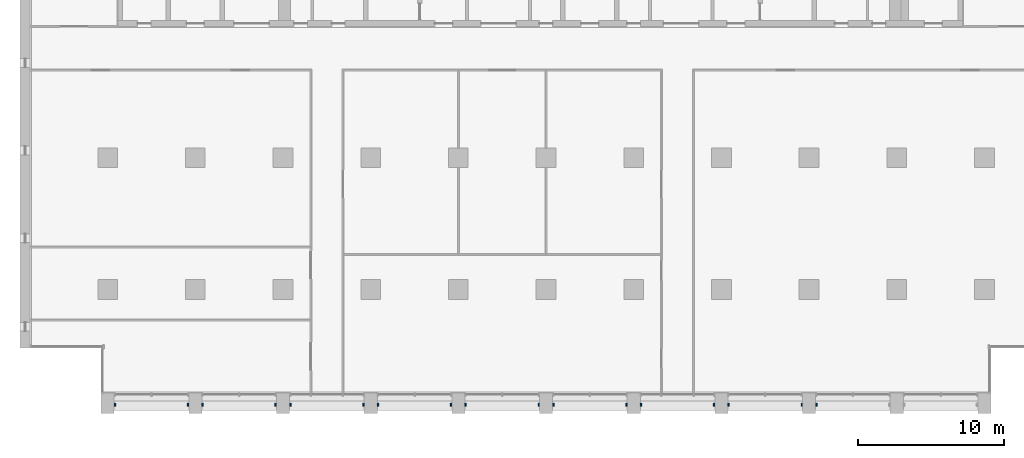
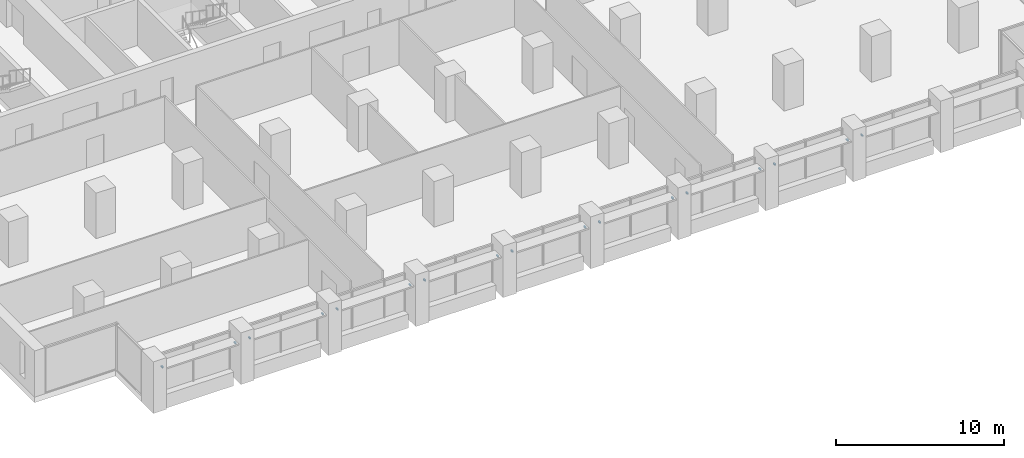
# One storey, part 13 of 15: 17 discrete accessories.
"""IFC4 building model written with IfcOpenShell, lengths in metres."""

import ifcopenshell
import ifcopenshell.guid

model = None  # the IFC model being written
_history = None  # IfcOwnerHistory: only IFC2X3 demands one
_inside = {}  # id of a spatial element -> (the spatial element, [elements in it])
_under = {}  # id of a project, library or spatial element -> (it, [spatial elements below it])
_declared = {}  # id of a project -> (the project, [libraries it declares])
_typed = {}  # id of a type object -> (the type object, [elements of that type])
_made_of = {}  # id of a material, layer set ... -> (it, [elements and type objects made of it])


def new_model(schema):
    """Start an empty IFC model of exactly this schema.

    Asked for "IFC4X3", IfcOpenShell would pick the latest addendum, in which some entities
    have other attributes; the version numbers below select the first issue.
    IFC2X3 requires an IfcOwnerHistory on every rooted entity: one is made here for all.
    """
    global model, _history
    if schema == "IFC4X3":
        model = ifcopenshell.file(schema_version=(4, 3, 0, 0))
    else:
        model = ifcopenshell.file(schema=schema)
    _inside.clear()
    _under.clear()
    _declared.clear()
    _typed.clear()
    _made_of.clear()
    _history = None
    if model.schema == "IFC2X3":
        org = make("IfcOrganization", Name="unknown")
        user = make(
            "IfcPersonAndOrganization",
            ThePerson=make("IfcPerson", FamilyName="unknown"),
            TheOrganization=org,
        )
        app = make(
            "IfcApplication",
            ApplicationDeveloper=org,
            Version="unknown",
            ApplicationFullName="unknown",
            ApplicationIdentifier="unknown",
        )
        _history = make(
            "IfcOwnerHistory",
            OwningUser=user,
            OwningApplication=app,
            ChangeAction="ADDED",
            CreationDate=0,
        )
    return model


def make(cls, **values):
    """One entity of the class cls with the attributes given. An attribute that is None is left unset."""
    return model.create_entity(
        cls, **{name: value for name, value in values.items() if value is not None}
    )


def rooted(cls, **values):
    """An entity with a GlobalId (a new one), such as an element, a storey or a relation."""
    return make(cls, GlobalId=ifcopenshell.guid.new(), OwnerHistory=_history, **values)


def si_unit(unit_type, name, prefix=None):
    """IfcSIUnit, for example si_unit("LENGTHUNIT", "METRE", prefix="MILLI")."""
    return make("IfcSIUnit", UnitType=unit_type, Prefix=prefix, Name=name)


def assignment(units):
    """IfcUnitAssignment: the units of a project."""
    return None if units is None else make("IfcUnitAssignment", Units=units)


def point(xyz):
    """IfcCartesianPoint."""
    return None if xyz is None else make("IfcCartesianPoint", Coordinates=xyz)


def direction(xyz):
    """IfcDirection."""
    return None if xyz is None else make("IfcDirection", DirectionRatios=xyz)


def frame(location, z_axis=None, x_axis=None):
    """IfcAxis2Placement3D, a coordinate frame: its origin and axes. An axis left out is left unset."""
    return make(
        "IfcAxis2Placement3D",
        Location=point(location),
        Axis=direction(z_axis),
        RefDirection=direction(x_axis),
    )


def frame_2d(location, x_axis=None):
    """IfcAxis2Placement2D, a coordinate frame in the plane: its origin and x axis."""
    return make(
        "IfcAxis2Placement2D", Location=point(location), RefDirection=direction(x_axis)
    )


def origin():
    """The frame at (0, 0, 0) with its axes left unset."""
    return frame((0.0, 0.0, 0.0))


def origin_2d():
    """The frame at (0, 0) in the plane with its x axis left unset."""
    return frame_2d((0.0, 0.0))


def place(relative_to, where):
    """IfcLocalPlacement: puts the frame where relative to a parent placement (None: the world)."""
    return make(
        "IfcLocalPlacement", PlacementRelTo=relative_to, RelativePlacement=where
    )


def context(
    kind, dimensions, precision=None, world=None, true_north=None, identifier=None
):
    """IfcGeometricRepresentationContext, for example the 3D "Model" context."""
    return make(
        "IfcGeometricRepresentationContext",
        ContextIdentifier=identifier,
        ContextType=kind,
        CoordinateSpaceDimension=dimensions,
        Precision=precision,
        WorldCoordinateSystem=world,
        TrueNorth=true_north,
    )


def subcontext(parent, identifier, kind, view, scale=None):
    """IfcGeometricRepresentationSubContext, for example "Body" below "Model"."""
    return make(
        "IfcGeometricRepresentationSubContext",
        ContextIdentifier=identifier,
        ContextType=kind,
        ParentContext=parent,
        TargetScale=scale,
        TargetView=view,
    )


def project(units=None, contexts=None):
    """IfcProject with its units and contexts."""
    return rooted(
        "IfcProject",
        Name="project",
        RepresentationContexts=contexts,
        UnitsInContext=assignment(units),
    )


def spatial(cls, under=None, at=None, **own):
    """A site, building, storey or space (cls), placed at a placement, below another one or the project."""
    s = rooted(cls, ObjectPlacement=at, **own)
    if under is not None:
        _under.setdefault(under.id(), (under, []))[1].append(s)
    return s


def profile(cls, at=None, kind="AREA", **sizes):
    """A parametric profile (cls). Its sizes go by their IFC names, for example OverallWidth=200.0."""
    return make(cls, ProfileType=kind, Position=at, **sizes)


def rectangle(**sizes):
    """IfcRectangleProfileDef."""
    return profile("IfcRectangleProfileDef", **sizes)


def extrude(swept, where, along, depth):
    """IfcExtrudedAreaSolid: the profile swept, set in the frame where, extruded along a direction by depth."""
    return make(
        "IfcExtrudedAreaSolid",
        SweptArea=swept,
        Position=where,
        ExtrudedDirection=direction(along),
        Depth=depth,
    )


def shape(context_of_items, identifier, shape_type, items):
    """IfcShapeRepresentation: the items that make up one representation, for example the "Body"."""
    return make(
        "IfcShapeRepresentation",
        ContextOfItems=context_of_items,
        RepresentationIdentifier=identifier,
        RepresentationType=shape_type,
        Items=items,
    )


def made_of(thing, what):
    """Note that an element or type object is made of a material, layer set ...; save() writes the relation."""
    if what is not None:
        _made_of.setdefault(what.id(), (what, []))[1].append(thing)
    return thing


def element(
    cls,
    number,
    at=None,
    inside=None,
    cuts=None,
    type_object=None,
    material=None,
    context=None,
    identifier="Body",
    shape_type=None,
    held_by="IfcProductDefinitionShape",
    body=None,
    shapes=None,
    **own,
):
    """One element of the class cls, such as IfcWall. Its Tag is "e" and its number.

    at: its placement. inside: the storey or other place that contains it. cuts: it is an
    opening in that element (IfcRelVoidsElement). A single representation is given by context,
    identifier, shape_type and body (its items); several are given by shapes. held_by: the class
    of the entity that holds the representations. save() writes the other relations.
    """
    e = rooted(cls, Tag="e%d" % number, ObjectPlacement=at, **own)
    if body is not None:
        shapes = [shape(context, identifier, shape_type, body)]
    if shapes is not None:
        e.Representation = make(held_by, Representations=shapes)
    if inside is not None:
        _inside.setdefault(inside.id(), (inside, []))[1].append(e)
    if cuts is not None:
        rooted(
            "IfcRelVoidsElement", RelatingBuildingElement=cuts, RelatedOpeningElement=e
        )
    if type_object is not None:
        _typed.setdefault(type_object.id(), (type_object, []))[1].append(e)
    return made_of(e, material)


def aggregate(whole, parts):
    """IfcRelAggregates: a whole, such as a stair, and the parts it consists of."""
    return rooted("IfcRelAggregates", RelatingObject=whole, RelatedObjects=parts)


def save(model, path):
    """Write the relations noted so far, then the file.

    IfcRelAggregates (storeys below a building ...), IfcRelContainedInSpatialStructure (elements
    in a storey), IfcRelDefinesByType, IfcRelAssociatesMaterial and IfcRelDeclares: one each for
    every whole, place, type object, material and project.
    """
    for whole, parts in _under.values():
        aggregate(whole, parts)
    for where, things in _inside.values():
        rooted(
            "IfcRelContainedInSpatialStructure",
            RelatedElements=things,
            RelatingStructure=where,
        )
    for kind, things in _typed.values():
        rooted("IfcRelDefinesByType", RelatedObjects=things, RelatingType=kind)
    for what, things in _made_of.values():
        rooted("IfcRelAssociatesMaterial", RelatedObjects=things, RelatingMaterial=what)
    for by, libraries in _declared.values():
        rooted("IfcRelDeclares", RelatingContext=by, RelatedDefinitions=libraries)
    model.write(path)


model = new_model("IFC4")

# Units and contexts
model_context = context("Model", 3, precision=1e-05, world=origin(), true_north=direction((0.0, 1.0)))
body_context = subcontext(model_context, "Body", "Model", "MODEL_VIEW")
ifc_project = project(units=[si_unit("LENGTHUNIT", "METRE"), si_unit("AREAUNIT", "SQUARE_METRE"), si_unit("VOLUMEUNIT", "CUBIC_METRE"), si_unit("PLANEANGLEUNIT", "RADIAN"), si_unit("MASSUNIT", "GRAM", prefix="KILO")], contexts=[model_context])

# Site, building, storey
site_placement = place(None, origin())
site = spatial("IfcSite", under=ifc_project, at=site_placement, CompositionType="ELEMENT")
building_placement = place(site_placement, origin())
building = spatial("IfcBuilding", under=site, at=building_placement, Name="Calvaro Tower", CompositionType="ELEMENT")
storey_placement = place(building_placement, frame((0.0, 0.0, 121.25)))
storey = spatial("IfcBuildingStorey", under=building, at=storey_placement, Name="L30", CompositionType="ELEMENT", Elevation=121.25)

# Discrete accessories
for number, where, z_axis, x_axis, name in (
    (1, (6.5, 2.10009765625, 2.25), (0.0, 0.0, 1.0), (1.0, 0.0, 0.0), "Brise-soleil bracket"),
    (2, (11.5, 2.10009765625, 2.25), (0.0, 0.0, 1.0), (1.0, 0.0, 0.0), "Brise-soleil bracket"),
    (3, (12.5, 2.10009765625, 2.25), (0.0, 0.0, 1.0), (1.0, 0.0, 0.0), "Brise-soleil bracket"),
    (4, (17.5, 2.10009765625, 2.25), (0.0, 0.0, 1.0), (1.0, 0.0, 0.0), "Brise-soleil bracket"),
    (5, (18.5, 2.10009765625, 2.25), (0.0, 0.0, 1.0), (1.0, 0.0, 0.0), "Brise-soleil bracket"),
    (6, (23.5, 2.10009765625, 2.25), (0.0, 0.0, 1.0), (1.0, 0.0, 0.0), "Brise-soleil bracket"),
    (7, (24.5, 2.10009765625, 2.25), (0.0, 0.0, 1.0), (1.0, 0.0, 0.0), "Brise-soleil bracket"),
    (8, (29.5, 2.10009765625, 2.25), (0.0, 0.0, 1.0), (1.0, 0.0, 0.0), "Brise-soleil bracket"),
    (9, (30.5, 2.10009765625, 2.25), (0.0, 0.0, 1.0), (1.0, 0.0, 0.0), "Brise-soleil bracket"),
    (10, (35.5, 2.10009765625, 2.25), (0.0, 0.0, 1.0), (1.0, 0.0, 0.0), "Brise-soleil bracket"),
    (11, (36.5, 2.10009765625, 2.25), (0.0, 0.0, 1.0), (1.0, 0.0, 0.0), "Brise-soleil bracket"),
    (12, (41.5, 2.10009765625, 2.25), (0.0, 0.0, 1.0), (1.0, 0.0, 0.0), "Brise-soleil bracket"),
    (13, (42.5, 2.10009765625, 2.25), (0.0, 0.0, 1.0), (1.0, 0.0, 0.0), "Brise-soleil bracket"),
    (14, (47.5, 2.10009765625, 2.25), (0.0, 0.0, 1.0), (1.0, 0.0, 0.0), "Brise-soleil bracket"),
    (15, (48.5, 2.10009765625, 2.25), (0.0, 0.0, 1.0), (1.0, 0.0, 0.0), "Brise-soleil bracket"),
    (16, (53.5, 2.10009765625, 2.25), (0.0, 0.0, 1.0), (1.0, 0.0, 0.0), "Brise-soleil bracket"),
    (17, (54.5, 2.10009765625, 2.25), (0.0, 0.0, 1.0), (1.0, 0.0, 0.0), "Brise-soleil bracket"),
):
    element("IfcDiscreteAccessory", number, at=place(storey_placement, frame(where, z_axis=z_axis, x_axis=x_axis)), inside=storey, Name=name, PredefinedType="BRACKET", context=body_context, shape_type="SweptSolid", body=[
        extrude(rectangle(XDim=0.10009765625, YDim=0.199951171875, at=origin_2d()), origin(), (0.0, 0.0, 1.0), 0.10009765625),
    ])

save(model, "model.ifc")
